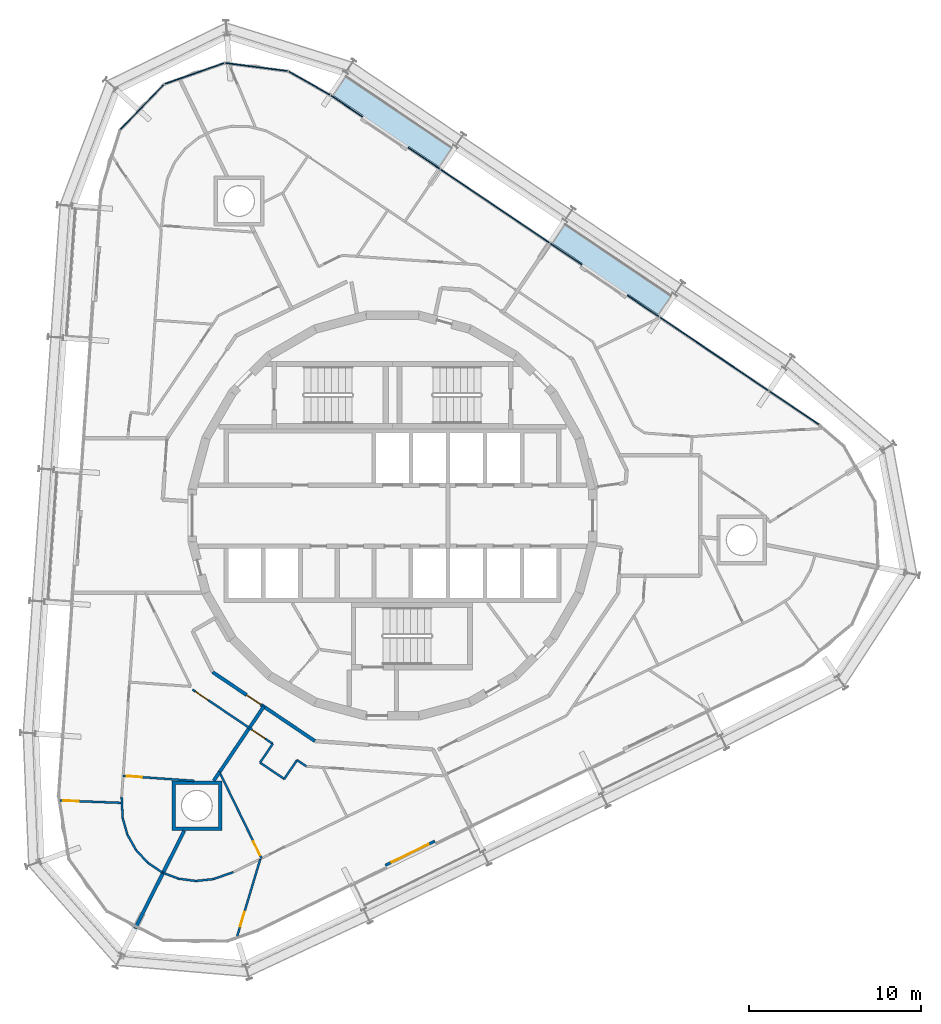
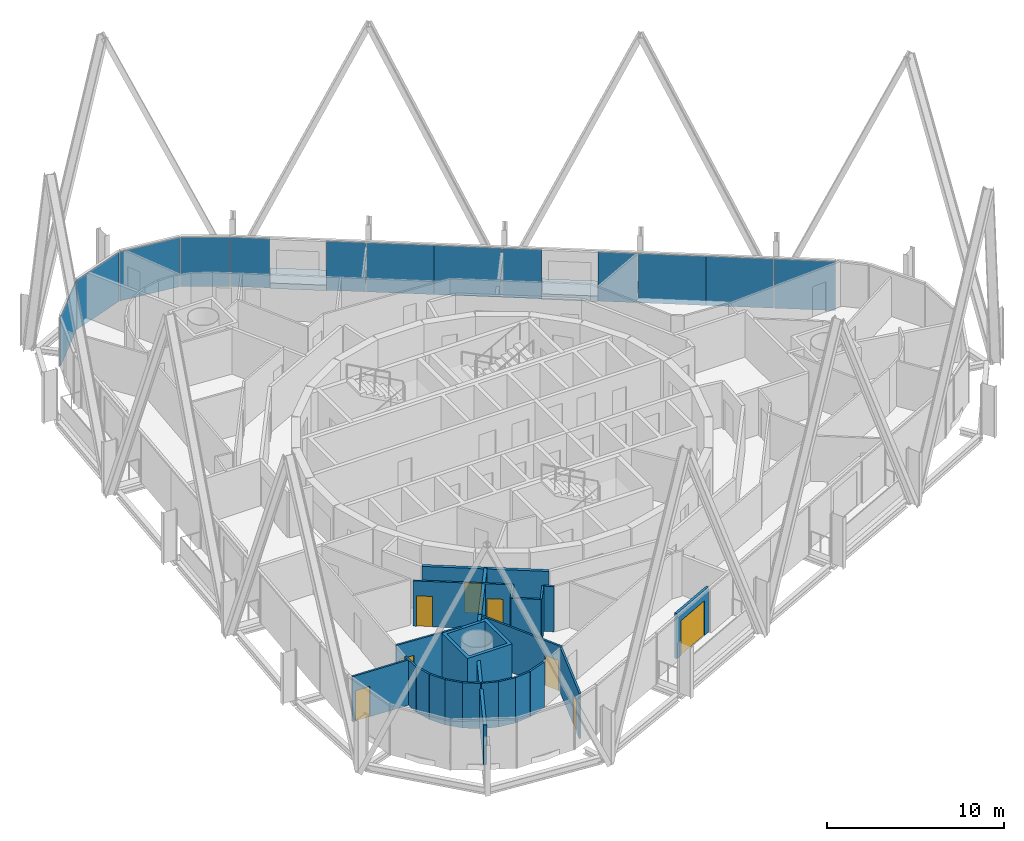
# One storey, part 11 of 18: 24 walls, 13 plates, 8 doors, 2 slabs, 8 openings, 3 elements without a shape of their own.
"""IFC4 building model written with IfcOpenShell, lengths in metres."""

from ifc_helpers import new_model, si_unit, direction, frame, frame_2d, origin, origin_2d, place, context, subcontext, project, spatial, polyline, rectangle, outline, extrude, material, layer, layer_set, type_object, element, fill, aggregate, save


model = new_model("IFC4")

# Units and contexts
model_context = context("Model", 3, precision=1e-05, world=origin(), true_north=direction((0.0, 1.0)))
body_context = subcontext(model_context, "Body", "Model", "MODEL_VIEW")
ifc_project = project(units=[si_unit("LENGTHUNIT", "METRE"), si_unit("AREAUNIT", "SQUARE_METRE"), si_unit("VOLUMEUNIT", "CUBIC_METRE"), si_unit("PLANEANGLEUNIT", "RADIAN"), si_unit("MASSUNIT", "GRAM", prefix="KILO")], contexts=[model_context])

# Site, building, storey
site_placement = place(None, origin())
site = spatial("IfcSite", under=ifc_project, at=site_placement, CompositionType="ELEMENT")
building_placement = place(site_placement, origin())
building = spatial("IfcBuilding", under=site, at=building_placement, Name="Spindle Arch Residences", CompositionType="ELEMENT")
storey_placement = place(building_placement, frame((0.0, 0.0, 202.39990234375)))
storey = spatial("IfcBuildingStorey", under=building, at=storey_placement, Name="L51", CompositionType="ELEMENT", Elevation=202.39990234375)

# Slabs
ifc_material_1 = material(Name="Concrete C40/50", Category="concrete")
ifc_layer_1 = layer(ifc_material_1, 0.3798828125)
ifc_layer_set_1 = layer_set([ifc_layer_1], Name="Balcony slab 380")
slab_type = type_object("IfcSlabType", Name="Balcony slab 380", PredefinedType="FLOOR", material=ifc_layer_set_1)
slab_1_placement = place(storey_placement, frame((0.0, 0.0, -0.3798828125)))
element("IfcSlab", 1, at=slab_1_placement, inside=storey, type_object=slab_type, Name="Balcony L51 bay 7", PredefinedType="FLOOR", context=body_context, shape_type="SweptSolid", body=[
    extrude(outline(polyline([(16.34228515625, 12.897216796875), (16.2802734375, 12.939208984375), (16.1962890625, 12.814697265625), (10.066650390625, 16.94921875), (10.150634765625, 17.07373046875), (10.08837890625, 17.115478515625), (9.255126953125, 15.88037109375), (11.0556640625, 14.665771484375), (10.96630859375, 14.533203125), (13.619140625, 12.74365234375), (13.70849609375, 12.87646484375), (15.50927734375, 11.661865234375), (16.34228515625, 12.897216796875)])), origin(), (0.0, 0.0, 1.0), 0.3798828125),
])
slab_2_placement = place(storey_placement, frame((0.0, 0.0, -0.3798828125)))
element("IfcSlab", 2, at=slab_2_placement, inside=storey, type_object=slab_type, Name="Balcony L51 bay 9", PredefinedType="FLOOR", context=body_context, shape_type="SweptSolid", body=[
    extrude(outline(polyline([(3.585693359375, 21.501708984375), (3.5234375, 21.543701171875), (3.439453125, 21.419189453125), (-2.690185546875, 25.5537109375), (-2.606201171875, 25.67822265625), (-2.66845703125, 25.719970703125), (-3.501708984375, 24.48486328125), (-1.701171875, 23.270263671875), (-1.79052734375, 23.1376953125), (0.8623046875, 21.348388671875), (0.951904296875, 21.48095703125), (2.75244140625, 20.266357421875), (3.585693359375, 21.501708984375)])), origin(), (0.0, 0.0, 1.0), 0.3798828125),
])

# Curtain wall, plate
ifc_material_2 = material(Name="Aluminium bronze unitised frame with tinted glass", Category="aluminium")
ifc_layer_2 = layer(ifc_material_2, 0.159912109375)
ifc_layer_set_2 = layer_set([ifc_layer_2], Name="CW-D corner wall on the fillet arcs")
curtain_wall_type_1 = type_object("IfcCurtainWallType", Name="CW-D corner wall on the fillet arcs", PredefinedType="NOTDEFINED", material=ifc_layer_set_2)
curtain_wall_1_placement = place(storey_placement, origin())
curtain_wall_1 = element("IfcCurtainWall", 3, at=curtain_wall_1_placement, inside=storey, type_object=curtain_wall_type_1, Name="CW-D L51 run 1", PredefinedType="NOTDEFINED")
ifc_material_3 = material(Name="Tinted double glazing over aluminium faced non-combustible spandrel zone (K0)", Category="aluminium")
ifc_layer_3 = layer(ifc_material_3, 0.06005859375)
ifc_layer_set_3 = layer_set([ifc_layer_3], Name="Unitised glass panel with E 60 spandrel zone")
plate_type = type_object("IfcPlateType", Name="Unitised glass panel with E 60 spandrel zone", PredefinedType="CURTAIN_PANEL", material=ifc_layer_set_3)
plate_1_placement = place(storey_placement, frame((23.36767578125, 6.264892578125, -0.3798828125), z_axis=(0.0, 0.0, 1.0), x_axis=(-0.829037572555, 0.559192903471, 0.0)))
plate_1 = element("IfcPlate", 4, at=plate_1_placement, type_object=plate_type, Name="CW-D unit 06", PredefinedType="CURTAIN_PANEL", context=body_context, shape_type="SweptSolid", body=[
    extrude(rectangle(XDim=3.468505859375, YDim=0.06005859375, at=origin_2d()), origin(), (0.0, 0.0, 1.0), 3.3798828125),
])
aggregate(curtain_wall_1, [plate_1])

# Curtain wall, plates
ifc_material_4 = material(Name="Aluminium bronze unitised frame with tinted glass", Category="aluminium")
ifc_layer_4 = layer(ifc_material_4, 0.159912109375)
ifc_layer_set_4 = layer_set([ifc_layer_4], Name="CW-C typical residential unitised wall")
curtain_wall_type_2 = type_object("IfcCurtainWallType", Name="CW-C typical residential unitised wall", PredefinedType="NOTDEFINED", material=ifc_layer_set_4)
curtain_wall_2_placement = place(storey_placement, origin())
curtain_wall_2 = element("IfcCurtainWall", 5, at=curtain_wall_2_placement, inside=storey, type_object=curtain_wall_type_2, Name="CW-C L51 run 2", PredefinedType="NOTDEFINED")
plate_2_placement = place(storey_placement, frame((20.2978515625, 8.335205078125, -0.3798828125), z_axis=(0.0, 0.0, 1.0), x_axis=(-0.829037572555, 0.559192903471, 0.0)))
plate_2 = element("IfcPlate", 6, at=plate_2_placement, type_object=plate_type, Name="CW-C unit 05A", PredefinedType="CURTAIN_PANEL", context=body_context, shape_type="SweptSolid", body=[
    extrude(rectangle(XDim=3.81689453125, YDim=0.06005859375, at=origin_2d()), origin(), (0.0, 0.0, 1.0), 3.3798828125),
])
plate_3_placement = place(storey_placement, frame((17.133544921875, 10.4697265625, -0.3798828125), z_axis=(0.0, 0.0, 1.0), x_axis=(-0.829037572555, 0.559192903471, 0.0)))
plate_3 = element("IfcPlate", 7, at=plate_3_placement, type_object=plate_type, Name="CW-C unit 05B", PredefinedType="CURTAIN_PANEL", context=body_context, shape_type="SweptSolid", body=[
    extrude(rectangle(XDim=3.81689453125, YDim=0.06005859375, at=origin_2d()), origin(), (0.0, 0.0, 1.0), 3.3798828125),
])
plate_4_placement = place(storey_placement, frame((14.582763671875, 12.190185546875, -0.3798828125), z_axis=(0.0, 0.0, 1.0), x_axis=(-0.829037572555, 0.559192903471, 0.0)))
plate_4 = element("IfcPlate", 8, at=plate_4_placement, type_object=plate_type, Name="CW-C unit 06L", PredefinedType="CURTAIN_PANEL", context=body_context, shape_type="SweptSolid", body=[
    extrude(rectangle(XDim=2.216796875, YDim=0.06005859375, at=origin_2d()), origin(), (0.0, 0.0, 1.0), 3.3798828125),
])
plate_5_placement = place(storey_placement, frame((10.092041015625, 15.21923828125, -0.3798828125), z_axis=(0.0, 0.0, 1.0), x_axis=(-0.829037572555, 0.559192903471, 0.0)))
plate_5 = element("IfcPlate", 9, at=plate_5_placement, type_object=plate_type, Name="CW-C unit 06R", PredefinedType="CURTAIN_PANEL", context=body_context, shape_type="SweptSolid", body=[
    extrude(rectangle(XDim=2.216796875, YDim=0.06005859375, at=origin_2d()), origin(), (0.0, 0.0, 1.0), 3.3798828125),
])
plate_6_placement = place(storey_placement, frame((7.541259765625, 16.93994140625, -0.3798828125), z_axis=(0.0, 0.0, 1.0), x_axis=(-0.829037572555, 0.559192903471, 0.0)))
plate_6 = element("IfcPlate", 10, at=plate_6_placement, type_object=plate_type, Name="CW-C unit 07A", PredefinedType="CURTAIN_PANEL", context=body_context, shape_type="SweptSolid", body=[
    extrude(rectangle(XDim=3.81689453125, YDim=0.06005859375, at=origin_2d()), origin(), (0.0, 0.0, 1.0), 3.3798828125),
])
plate_7_placement = place(storey_placement, frame((4.376953125, 19.07421875, -0.3798828125), z_axis=(0.0, 0.0, 1.0), x_axis=(-0.829037572555, 0.559192903471, 0.0)))
plate_7 = element("IfcPlate", 11, at=plate_7_placement, type_object=plate_type, Name="CW-C unit 07B", PredefinedType="CURTAIN_PANEL", context=body_context, shape_type="SweptSolid", body=[
    extrude(rectangle(XDim=3.81689453125, YDim=0.06005859375, at=origin_2d()), origin(), (0.0, 0.0, 1.0), 3.3798828125),
])
plate_8_placement = place(storey_placement, frame((1.825927734375, 20.794677734375, -0.3798828125), z_axis=(0.0, 0.0, 1.0), x_axis=(-0.829037572555, 0.559192903471, 0.0)))
plate_8 = element("IfcPlate", 12, at=plate_8_placement, type_object=plate_type, Name="CW-C unit 08L", PredefinedType="CURTAIN_PANEL", context=body_context, shape_type="SweptSolid", body=[
    extrude(rectangle(XDim=2.216796875, YDim=0.06005859375, at=origin_2d()), origin(), (0.0, 0.0, 1.0), 3.3798828125),
])
plate_9_placement = place(storey_placement, frame((-2.664794921875, 23.82373046875, -0.3798828125), z_axis=(0.0, 0.0, 1.0), x_axis=(-0.829037572555, 0.559192903471, 0.0)))
plate_9 = element("IfcPlate", 13, at=plate_9_placement, type_object=plate_type, Name="CW-C unit 08R", PredefinedType="CURTAIN_PANEL", context=body_context, shape_type="SweptSolid", body=[
    extrude(rectangle(XDim=2.216796875, YDim=0.06005859375, at=origin_2d()), origin(), (0.0, 0.0, 1.0), 3.3798828125),
])
aggregate(curtain_wall_2, [plate_2, plate_3, plate_4, plate_5, plate_6, plate_7, plate_8, plate_9])

curtain_wall_3_placement = place(storey_placement, origin())
curtain_wall_3 = element("IfcCurtainWall", 14, at=curtain_wall_3_placement, inside=storey, type_object=curtain_wall_type_1, Name="CW-D L51 run 3", PredefinedType="NOTDEFINED")
plate_10_placement = place(storey_placement, frame((-4.84130859375, 25.16064453125, -0.3798828125), z_axis=(0.0, 0.0, 1.0), x_axis=(-0.86953871595, 0.493864780547, 0.0)))
plate_10 = element("IfcPlate", 15, at=plate_10_placement, type_object=plate_type, Name="CW-D unit 00", PredefinedType="CURTAIN_PANEL", context=body_context, shape_type="SweptSolid", body=[
    extrude(rectangle(XDim=2.775634765625, YDim=0.06005859375, at=origin_2d()), origin(), (0.0, 0.0, 1.0), 3.3798828125),
])
plate_11_placement = place(storey_placement, frame((-7.92236328125, 26.0986328125, -0.3798828125), z_axis=(0.0, 0.0, 1.0), x_axis=(-0.991820351023, 0.127641651888, 0.0)))
plate_11 = element("IfcPlate", 16, at=plate_11_placement, type_object=plate_type, Name="CW-D unit 01", PredefinedType="CURTAIN_PANEL", context=body_context, shape_type="SweptSolid", body=[
    extrude(rectangle(XDim=3.666748046875, YDim=0.06005859375, at=origin_2d()), origin(), (0.0, 0.0, 1.0), 3.3798828125),
])
plate_12_placement = place(storey_placement, frame((-11.52880859375, 25.7197265625, -0.3798828125), z_axis=(0.0, 0.0, 1.0), x_axis=(-0.943608508302, -0.331063412445, 0.0)))
plate_12 = element("IfcPlate", 17, at=plate_12_placement, type_object=plate_type, Name="CW-D unit 02", PredefinedType="CURTAIN_PANEL", context=body_context, shape_type="SweptSolid", body=[
    extrude(rectangle(XDim=3.666748046875, YDim=0.06005859375, at=origin_2d()), origin(), (0.0, 0.0, 1.0), 3.3798828125),
])
plate_13_placement = place(storey_placement, frame((-14.58154296875, 23.762451171875, -0.3798828125), z_axis=(0.0, 0.0, 1.0), x_axis=(-0.694658368802, -0.719339801939, 0.0)))
plate_13 = element("IfcPlate", 18, at=plate_13_placement, type_object=plate_type, Name="CW-D unit 03", PredefinedType="CURTAIN_PANEL", context=body_context, shape_type="SweptSolid", body=[
    extrude(rectangle(XDim=3.666748046875, YDim=0.06005859375, at=origin_2d()), origin(), (0.0, 0.0, 1.0), 3.3798828125),
])
aggregate(curtain_wall_3, [plate_10, plate_11, plate_12, plate_13])

# Wall, opening, door
ifc_material_5 = material(Name="Calcium silicate block, plastered")
ifc_layer_5 = layer(ifc_material_5, 0.199951171875)
ifc_layer_set_5 = layer_set([ifc_layer_5], Name="Corridor wall 200")
wall_type_1 = type_object("IfcWallType", Name="Corridor wall 200", PredefinedType="STANDARD", material=ifc_layer_set_5)
wall_1_placement = place(storey_placement, frame((-10.469970703125, -9.101318359375, 0.0), z_axis=(0.0, 0.0, 1.0), x_axis=(0.829035841718, -0.559195469534, 0.0)))
wall_1 = element("IfcWall", 19, at=wall_1_placement, inside=storey, type_object=wall_type_1, Name="Corridor wall R5B0-W017", PredefinedType="STANDARD", context=body_context, shape_type="SweptSolid", body=[
    extrude(rectangle(XDim=7.18115234375, YDim=0.199951171875, at=frame_2d((3.590576171875, 0.0))), origin(), (0.0, 0.0, 1.0), 3.1201171875),
])
opening_1_placement = place(wall_1_placement, frame((2.390380859375, 0.0, 0.0)))
opening_1 = element("IfcOpeningElement", 20, at=opening_1_placement, cuts=wall_1, Name="Opening R5B0-FD04", PredefinedType="OPENING", context=body_context, shape_type="SweptSolid", body=[
    extrude(rectangle(XDim=1.0, YDim=2.10009765625, at=frame_2d((0.5, 1.050048828125))), frame((0.0, 0.10986328125, 0.0), z_axis=(0.0, -1.0, 0.0), x_axis=(1.0, 0.0, 0.0)), (0.0, 0.0, 1.0), 0.219970703125),
])
ifc_material_6 = material(Name="Timber, fire-resisting door set", Category="wood")
door_type_1 = type_object("IfcDoorType", Name="Flat entrance door 1000x2100", OperationType="NOTDEFINED", PredefinedType="DOOR", material=ifc_material_6)
door_1_placement = place(opening_1_placement, origin())
door_1 = element("IfcDoor", 21, at=door_1_placement, inside=storey, type_object=door_type_1, Name="Flat entrance door R5B0-FD04", OperationType="SINGLE_SWING_RIGHT", OverallHeight=2.10009765625, OverallWidth=1.0, PredefinedType="DOOR", context=body_context, shape_type="SweptSolid", body=[
    extrude(rectangle(XDim=1.0, YDim=2.10009765625, at=frame_2d((0.5, 1.050048828125))), frame((0.0, 0.02490234375, 0.0), z_axis=(0.0, -1.0, 0.0), x_axis=(1.0, 0.0, 0.0)), (0.0, 0.0, 1.0), 0.050048828125),
])
fill(opening_1, door_1)

# Wall, openings, doors
ifc_material_7 = material(Name="Plasterboard on steel studs", Category="steel")
ifc_layer_6 = layer(ifc_material_7, 0.1201171875)
ifc_layer_set_6 = layer_set([ifc_layer_6], Name="Flat partition 120")
wall_type_2 = type_object("IfcWallType", Name="Flat partition 120", PredefinedType="PARTITIONING", material=ifc_layer_set_6)
wall_2_placement = place(storey_placement, frame((-11.641845703125, -10.1201171875, 0.0), z_axis=(0.0, 0.0, 1.0), x_axis=(0.829033377599, -0.559199122698, 0.0)))
wall_2 = element("IfcWall", 22, at=wall_2_placement, inside=storey, type_object=wall_type_2, Name="Flat partition R5B0-W076", PredefinedType="PARTITIONING", context=body_context, shape_type="SweptSolid", body=[
    extrude(rectangle(XDim=5.6376953125, YDim=0.1201171875, at=frame_2d((2.81884765625, 0.0))), origin(), (0.0, 0.0, 1.0), 3.1201171875),
])
opening_2_placement = place(wall_2_placement, frame((0.199951171875, 0.0, 0.0)))
opening_2 = element("IfcOpeningElement", 23, at=opening_2_placement, cuts=wall_2, Name="Opening R5B0-ID14", PredefinedType="OPENING", context=body_context, shape_type="SweptSolid", body=[
    extrude(rectangle(XDim=0.89990234375, YDim=2.10009765625, at=frame_2d((0.449951171875, 1.050048828125))), frame((0.0, 0.070068359375, 0.0), z_axis=(0.0, -1.0, 0.0), x_axis=(1.0, 0.0, 0.0)), (0.0, 0.0, 1.0), 0.14013671875),
])
opening_3_placement = place(wall_2_placement, frame((4.1923828125, 0.0, 0.0)))
opening_3 = element("IfcOpeningElement", 24, at=opening_3_placement, cuts=wall_2, Name="Opening R5B0-ID18", PredefinedType="OPENING", context=body_context, shape_type="SweptSolid", body=[
    extrude(rectangle(XDim=0.89990234375, YDim=2.10009765625, at=frame_2d((0.449951171875, 1.050048828125))), frame((0.0, 0.070068359375, 0.0), z_axis=(0.0, -1.0, 0.0), x_axis=(1.0, 0.0, 0.0)), (0.0, 0.0, 1.0), 0.14013671875),
])
ifc_material_8 = material(Name="Timber door set", Category="wood")
door_type_2 = type_object("IfcDoorType", Name="Room door 900x2100", OperationType="NOTDEFINED", PredefinedType="DOOR", material=ifc_material_8)
door_2_placement = place(opening_2_placement, origin())
door_2 = element("IfcDoor", 25, at=door_2_placement, inside=storey, type_object=door_type_2, Name="Room door R5B0-ID14", OperationType="SINGLE_SWING_RIGHT", OverallHeight=2.10009765625, OverallWidth=0.89990234375, PredefinedType="DOOR", context=body_context, shape_type="SweptSolid", body=[
    extrude(rectangle(XDim=0.89990234375, YDim=2.10009765625, at=frame_2d((0.449951171875, 1.050048828125))), frame((0.0, 0.02490234375, 0.0), z_axis=(0.0, -1.0, 0.0), x_axis=(1.0, 0.0, 0.0)), (0.0, 0.0, 1.0), 0.050048828125),
])
fill(opening_2, door_2)
door_3_placement = place(opening_3_placement, origin())
door_3 = element("IfcDoor", 26, at=door_3_placement, inside=storey, type_object=door_type_2, Name="Room door R5B0-ID18", OperationType="SINGLE_SWING_LEFT", OverallHeight=2.10009765625, OverallWidth=0.89990234375, PredefinedType="DOOR", context=body_context, shape_type="SweptSolid", body=[
    extrude(rectangle(XDim=0.89990234375, YDim=2.10009765625, at=frame_2d((0.449951171875, 1.050048828125))), frame((0.0, 0.02490234375, 0.0), z_axis=(0.0, -1.0, 0.0), x_axis=(1.0, 0.0, 0.0)), (0.0, 0.0, 1.0), 0.050048828125),
])
fill(opening_3, door_3)

# Wall, opening, door
wall_3_placement = place(storey_placement, frame((-19.354736328125, -16.5751953125, 0.0), z_axis=(0.0, 0.0, 1.0), x_axis=(0.999268343647, -0.038246272823, 0.0)))
wall_3 = element("IfcWall", 27, at=wall_3_placement, inside=storey, type_object=wall_type_2, Name="Flat partition R5B0-W079", PredefinedType="PARTITIONING", context=body_context, shape_type="SweptSolid", body=[
    extrude(rectangle(XDim=3.613037109375, YDim=0.1201171875, at=frame_2d((1.806640625, 0.0))), origin(), (0.0, 0.0, 1.0), 3.1201171875),
])
opening_4_placement = place(wall_3_placement, frame((0.199951171875, 0.0, 0.0)))
opening_4 = element("IfcOpeningElement", 28, at=opening_4_placement, cuts=wall_3, Name="Opening R5B0-ID17", PredefinedType="OPENING", context=body_context, shape_type="SweptSolid", body=[
    extrude(rectangle(XDim=0.89990234375, YDim=2.10009765625, at=frame_2d((0.449951171875, 1.050048828125))), frame((0.0, 0.070068359375, 0.0), z_axis=(0.0, -1.0, 0.0), x_axis=(1.0, 0.0, 0.0)), (0.0, 0.0, 1.0), 0.14013671875),
])
door_4_placement = place(opening_4_placement, origin())
door_4 = element("IfcDoor", 29, at=door_4_placement, inside=storey, type_object=door_type_2, Name="Room door R5B0-ID17", OperationType="SINGLE_SWING_RIGHT", OverallHeight=2.10009765625, OverallWidth=0.89990234375, PredefinedType="DOOR", context=body_context, shape_type="SweptSolid", body=[
    extrude(rectangle(XDim=0.89990234375, YDim=2.10009765625, at=frame_2d((0.449951171875, 1.050048828125))), frame((0.0, 0.02490234375, 0.0), z_axis=(0.0, -1.0, 0.0), x_axis=(1.0, 0.0, 0.0)), (0.0, 0.0, 1.0), 0.050048828125),
])
fill(opening_4, door_4)

# Wall
wall_4_placement = place(storey_placement, frame((-15.70361328125, -17.590087890625, 0.0), z_axis=(0.0, 0.0, 1.0), x_axis=(-0.046364428258, 0.998924591645, 0.0)))
element("IfcWall", 30, at=wall_4_placement, inside=storey, type_object=wall_type_2, Name="Flat partition R5B0-W080", PredefinedType="PARTITIONING", context=body_context, shape_type="SweptSolid", body=[
    extrude(rectangle(XDim=1.226806640625, YDim=0.1201171875, at=frame_2d((0.61328125, 0.0))), origin(), (0.0, 0.0, 1.0), 3.1201171875),
])

# Wall, opening, door
wall_5_placement = place(storey_placement, frame((-15.675048828125, -15.14111328125, 0.0), z_axis=(0.0, 0.0, 1.0), x_axis=(0.997563107735, -0.06976995117, 0.0)))
wall_5 = element("IfcWall", 31, at=wall_5_placement, inside=storey, type_object=wall_type_2, Name="Flat partition R5B0-W081", PredefinedType="PARTITIONING", context=body_context, shape_type="SweptSolid", body=[
    extrude(rectangle(XDim=4.146484375, YDim=0.1201171875, at=frame_2d((2.0732421875, 0.0))), origin(), (0.0, 0.0, 1.0), 3.1201171875),
])
opening_5_placement = place(wall_5_placement, frame((0.199951171875, 0.0, 0.0)))
opening_5 = element("IfcOpeningElement", 32, at=opening_5_placement, cuts=wall_5, Name="Opening R5B0-ID16", PredefinedType="OPENING", context=body_context, shape_type="SweptSolid", body=[
    extrude(rectangle(XDim=0.89990234375, YDim=2.10009765625, at=frame_2d((0.449951171875, 1.050048828125))), frame((0.0, 0.070068359375, 0.0), z_axis=(0.0, -1.0, 0.0), x_axis=(1.0, 0.0, 0.0)), (0.0, 0.0, 1.0), 0.14013671875),
])
door_5_placement = place(opening_5_placement, origin())
door_5 = element("IfcDoor", 33, at=door_5_placement, inside=storey, type_object=door_type_2, Name="Room door R5B0-ID16", OperationType="SINGLE_SWING_RIGHT", OverallHeight=2.10009765625, OverallWidth=0.89990234375, PredefinedType="DOOR", context=body_context, shape_type="SweptSolid", body=[
    extrude(rectangle(XDim=0.89990234375, YDim=2.10009765625, at=frame_2d((0.449951171875, 1.050048828125))), frame((0.0, 0.02490234375, 0.0), z_axis=(0.0, -1.0, 0.0), x_axis=(1.0, 0.0, 0.0)), (0.0, 0.0, 1.0), 0.050048828125),
])
fill(opening_5, door_5)

# Walls
for number, where, z_axis, x_axis, name in (
    (34, (-13.39501953125, -20.767333984375, 0.0), (0.0, 0.0, 1.0), (-0.829155030747, 0.559018725077, 0.0), "Flat partition R5B0-W082"),
    (35, (-14.2373046875, -20.199462890625, 0.0), (0.0, 0.0, 1.0), (-0.677681015856, 0.735355995929, 0.0), "Flat partition R5B0-W083"),
):
    element("IfcWall", number, at=place(storey_placement, frame(where, z_axis=z_axis, x_axis=x_axis)), inside=storey, type_object=wall_type_2, Name=name, PredefinedType="PARTITIONING", context=body_context, shape_type="SweptSolid", body=[
        extrude(rectangle(XDim=1.015869140625, YDim=0.1201171875, at=frame_2d((0.5078125, 0.0))), origin(), (0.0, 0.0, 1.0), 3.1201171875),
    ])
wall_6_placement = place(storey_placement, frame((-14.92578125, -19.452392578125, 0.0), z_axis=(0.0, 0.0, 1.0), x_axis=(-0.489941776958, 0.871755157823, 0.0)))
element("IfcWall", 36, at=wall_6_placement, inside=storey, type_object=wall_type_2, Name="Flat partition R5B0-W084", PredefinedType="PARTITIONING", context=body_context, shape_type="SweptSolid", body=[
    extrude(rectangle(XDim=1.01611328125, YDim=0.1201171875, at=frame_2d((0.508056640625, 0.0))), origin(), (0.0, 0.0, 1.0), 3.1201171875),
])
wall_7_placement = place(storey_placement, frame((-15.423583984375, -18.566650390625, 0.0), z_axis=(0.0, 0.0, 1.0), x_axis=(-0.275641454312, 0.961260520704, 0.0)))
element("IfcWall", 37, at=wall_7_placement, inside=storey, type_object=wall_type_2, Name="Flat partition R5B0-W085", PredefinedType="PARTITIONING", context=body_context, shape_type="SweptSolid", body=[
    extrude(rectangle(XDim=1.015869140625, YDim=0.1201171875, at=frame_2d((0.5078125, 0.0))), origin(), (0.0, 0.0, 1.0), 3.1201171875),
])
wall_8_placement = place(storey_placement, frame((-6.968017578125, -13.272705078125, 0.0), z_axis=(0.0, 0.0, 1.0), x_axis=(-0.559283007371, -0.828976789582, 0.0)))
element("IfcWall", 38, at=wall_8_placement, inside=storey, type_object=wall_type_2, Name="Flat partition R5B0-W086", PredefinedType="PARTITIONING", context=body_context, shape_type="SweptSolid", body=[
    extrude(rectangle(XDim=1.3251953125, YDim=0.1201171875, at=frame_2d((0.66259765625, 0.0))), origin(), (0.0, 0.0, 1.0), 3.1201171875),
])
wall_9_placement = place(storey_placement, frame((-7.709228515625, -14.371337890625, 0.0), z_axis=(0.0, 0.0, 1.0), x_axis=(0.829033422808, -0.559199055675, 0.0)))
element("IfcWall", 39, at=wall_9_placement, inside=storey, type_object=wall_type_2, Name="Flat partition R5B0-W087", PredefinedType="PARTITIONING", context=body_context, shape_type="SweptSolid", body=[
    extrude(rectangle(XDim=1.7001953125, YDim=0.1201171875, at=frame_2d((0.85009765625, 0.0))), origin(), (0.0, 0.0, 1.0), 3.1201171875),
])
wall_10_placement = place(storey_placement, frame((-6.2998046875, -15.322021484375, 0.0), z_axis=(0.0, 0.0, 1.0), x_axis=(0.559197608403, 0.829034399019, 0.0)))
element("IfcWall", 40, at=wall_10_placement, inside=storey, type_object=wall_type_2, Name="Flat partition R5B0-W088", PredefinedType="PARTITIONING", context=body_context, shape_type="SweptSolid", body=[
    extrude(rectangle(XDim=1.325439453125, YDim=0.1201171875, at=frame_2d((0.66259765625, 0.0))), origin(), (0.0, 0.0, 1.0), 3.1201171875),
])
wall_11_placement = place(storey_placement, frame((-5.55859375, -14.22314453125, 0.0), z_axis=(0.0, 0.0, 1.0), x_axis=(0.828844300469, -0.559479334363, 0.0)))
element("IfcWall", 41, at=wall_11_placement, inside=storey, type_object=wall_type_2, Name="Flat partition R5B0-W089", PredefinedType="PARTITIONING", context=body_context, shape_type="SweptSolid", body=[
    extrude(rectangle(XDim=0.647216796875, YDim=0.1201171875, at=frame_2d((0.32373046875, 0.0))), origin(), (0.0, 0.0, 1.0), 3.1201171875),
])
wall_12_placement = place(storey_placement, frame((-13.351318359375, -20.783935546875, 0.0), z_axis=(0.0, 0.0, 1.0), x_axis=(0.935644105077, -0.352944908781, 0.0)))
element("IfcWall", 42, at=wall_12_placement, inside=storey, type_object=wall_type_2, Name="Flat partition R5B0-W092", PredefinedType="PARTITIONING", context=body_context, shape_type="SweptSolid", body=[
    extrude(rectangle(XDim=0.968994140625, YDim=0.1201171875, at=frame_2d((0.484375, 0.0))), origin(), (0.0, 0.0, 1.0), 3.1201171875),
])
wall_13_placement = place(storey_placement, frame((-12.444580078125, -21.1259765625, 0.0), z_axis=(0.0, 0.0, 1.0), x_axis=(0.991824046735, -0.127612931625, 0.0)))
element("IfcWall", 43, at=wall_13_placement, inside=storey, type_object=wall_type_2, Name="Flat partition R5B0-W093", PredefinedType="PARTITIONING", context=body_context, shape_type="SweptSolid", body=[
    extrude(rectangle(XDim=1.015869140625, YDim=0.1201171875, at=frame_2d((0.5078125, 0.0))), origin(), (0.0, 0.0, 1.0), 3.1201171875),
])
wall_14_placement = place(storey_placement, frame((-11.43701171875, -21.255615234375, 0.0), z_axis=(0.0, 0.0, 1.0), x_axis=(0.994522555527, 0.104522182086, 0.0)))
element("IfcWall", 44, at=wall_14_placement, inside=storey, type_object=wall_type_2, Name="Flat partition R5B0-W094", PredefinedType="PARTITIONING", context=body_context, shape_type="SweptSolid", body=[
    extrude(rectangle(XDim=1.01611328125, YDim=0.1201171875, at=frame_2d((0.508056640625, 0.0))), origin(), (0.0, 0.0, 1.0), 3.1201171875),
])
wall_15_placement = place(storey_placement, frame((-10.426513671875, -21.1494140625, 0.0), z_axis=(0.0, 0.0, 1.0), x_axis=(0.943591256744, 0.331112579338, 0.0)))
element("IfcWall", 45, at=wall_15_placement, inside=storey, type_object=wall_type_2, Name="Flat partition R5B0-W095", PredefinedType="PARTITIONING", context=body_context, shape_type="SweptSolid", body=[
    extrude(rectangle(XDim=1.226806640625, YDim=0.1201171875, at=frame_2d((0.61328125, 0.0))), origin(), (0.0, 0.0, 1.0), 3.1201171875),
])

# Wall, opening, door
wall_16_placement = place(storey_placement, frame((-7.619873046875, -19.93896484375, 0.0), z_axis=(0.0, 0.0, 1.0), x_axis=(-0.438353807908, 0.89880250283, 0.0)))
wall_16 = element("IfcWall", 46, at=wall_16_placement, inside=storey, type_object=wall_type_2, Name="Flat partition R5B0-W097", PredefinedType="PARTITIONING", context=body_context, shape_type="SweptSolid", body=[
    extrude(rectangle(XDim=5.580078125, YDim=0.1201171875, at=frame_2d((2.7900390625, 0.0))), origin(), (0.0, 0.0, 1.0), 3.1201171875),
])
opening_6_placement = place(wall_16_placement, frame((0.199951171875, 0.0, 0.0)))
opening_6 = element("IfcOpeningElement", 47, at=opening_6_placement, cuts=wall_16, Name="Opening R5B0-ID19", PredefinedType="OPENING", context=body_context, shape_type="SweptSolid", body=[
    extrude(rectangle(XDim=0.89990234375, YDim=2.10009765625, at=frame_2d((0.449951171875, 1.050048828125))), frame((0.0, 0.070068359375, 0.0), z_axis=(0.0, -1.0, 0.0), x_axis=(1.0, 0.0, 0.0)), (0.0, 0.0, 1.0), 0.14013671875),
])
door_6_placement = place(opening_6_placement, origin())
door_6 = element("IfcDoor", 48, at=door_6_placement, inside=storey, type_object=door_type_2, Name="Room door R5B0-ID19", OperationType="SINGLE_SWING_LEFT", OverallHeight=2.10009765625, OverallWidth=0.89990234375, PredefinedType="DOOR", context=body_context, shape_type="SweptSolid", body=[
    extrude(rectangle(XDim=0.89990234375, YDim=2.10009765625, at=frame_2d((0.449951171875, 1.050048828125))), frame((0.0, 0.02490234375, 0.0), z_axis=(0.0, -1.0, 0.0), x_axis=(1.0, 0.0, 0.0)), (0.0, 0.0, 1.0), 0.050048828125),
])
fill(opening_6, door_6)

wall_17_placement = place(storey_placement, frame((-9.041015625, -24.478515625, 0.0), z_axis=(0.0, 0.0, 1.0), x_axis=(0.286804727102, 0.957989064923, 0.0)))
wall_17 = element("IfcWall", 49, at=wall_17_placement, inside=storey, type_object=wall_type_2, Name="Flat partition R5B0-W098", PredefinedType="PARTITIONING", context=body_context, shape_type="SweptSolid", body=[
    extrude(rectangle(XDim=4.701416015625, YDim=0.1201171875, at=frame_2d((2.3505859375, 0.0))), origin(), (0.0, 0.0, 1.0), 3.1201171875),
])
opening_7_placement = place(wall_17_placement, frame((0.60009765625, 0.0, 0.0)))
opening_7 = element("IfcOpeningElement", 50, at=opening_7_placement, cuts=wall_17, Name="Opening R5B0-ID21", PredefinedType="OPENING", context=body_context, shape_type="SweptSolid", body=[
    extrude(rectangle(XDim=0.89990234375, YDim=2.10009765625, at=frame_2d((0.449951171875, 1.050048828125))), frame((0.0, 0.070068359375, 0.0), z_axis=(0.0, -1.0, 0.0), x_axis=(1.0, 0.0, 0.0)), (0.0, 0.0, 1.0), 0.14013671875),
])
door_7_placement = place(opening_7_placement, origin())
door_7 = element("IfcDoor", 51, at=door_7_placement, inside=storey, type_object=door_type_2, Name="Room door R5B0-ID21", OperationType="SINGLE_SWING_LEFT", OverallHeight=2.10009765625, OverallWidth=0.89990234375, PredefinedType="DOOR", context=body_context, shape_type="SweptSolid", body=[
    extrude(rectangle(XDim=0.89990234375, YDim=2.10009765625, at=frame_2d((0.449951171875, 1.050048828125))), frame((0.0, 0.02490234375, 0.0), z_axis=(0.0, -1.0, 0.0), x_axis=(1.0, 0.0, 0.0)), (0.0, 0.0, 1.0), 0.050048828125),
])
fill(opening_7, door_7)

# Walls
ifc_material_9 = material(Name="Calcium silicate block, plastered")
ifc_layer_7 = layer(ifc_material_9, 0.199951171875)
ifc_layer_set_7 = layer_set([ifc_layer_7], Name="Flat party wall 200")
wall_type_3 = type_object("IfcWallType", Name="Flat party wall 200", PredefinedType="STANDARD", material=ifc_layer_set_7)
wall_18_placement = place(storey_placement, frame((-10.06591796875, -14.923583984375, 0.0), z_axis=(0.0, 0.0, 1.0), x_axis=(0.559173899945, 0.829050390278, 0.0)))
element("IfcWall", 52, at=wall_18_placement, inside=storey, type_object=wall_type_3, Name="Flat party wall R5B0-W033", PredefinedType="STANDARD", context=body_context, shape_type="SweptSolid", body=[
    extrude(rectangle(XDim=4.60107421875, YDim=0.199951171875, at=frame_2d((2.300537109375, 0.0))), origin(), (0.0, 0.0, 1.0), 3.1201171875),
])
wall_19_placement = place(storey_placement, frame((-10.407958984375, -15.430419921875, 0.0), z_axis=(0.0, 0.0, 1.0), x_axis=(0.559390561924, 0.828904215956, 0.0)))
element("IfcWall", 53, at=wall_19_placement, inside=storey, type_object=wall_type_3, Name="Flat party wall R5B0-W034", PredefinedType="STANDARD", context=body_context, shape_type="SweptSolid", body=[
    extrude(rectangle(XDim=0.611572265625, YDim=0.199951171875, at=frame_2d((0.3056640625, 0.0))), origin(), (0.0, 0.0, 1.0), 3.1201171875),
])
ifc_material_10 = material(Name="Calcium silicate block, plastered")
ifc_layer_8 = layer(ifc_material_10, 0.199951171875)
ifc_layer_set_8 = layer_set([ifc_layer_8], Name="Flat party wall 200 under beam 2730")
wall_type_4 = type_object("IfcWallType", Name="Flat party wall 200 under beam 2730", PredefinedType="STANDARD", material=ifc_layer_set_8)
wall_20_placement = place(storey_placement, frame((-14.9794921875, -24.017333984375, 0.0), z_axis=(0.0, 0.0, 1.0), x_axis=(0.449711952388, 0.893173644864, 0.0)))
element("IfcWall", 54, at=wall_20_placement, inside=storey, type_object=wall_type_4, Name="Flat party wall R5B0-W035", PredefinedType="STANDARD", context=body_context, shape_type="SweptSolid", body=[
    extrude(rectangle(XDim=6.366943359375, YDim=0.199951171875, at=frame_2d((3.18359375, 0.0))), origin(), (0.0, 0.0, 1.0), 2.72998046875),
])

# Wall, opening, door
ifc_material_11 = material(Name="Non-combustible mineral wool insulated aluminium faced external wall (K0)", Category="aluminium")
ifc_layer_9 = layer(ifc_material_11, 0.159912109375)
ifc_layer_set_9 = layer_set([ifc_layer_9], Name="Insulated external wall panel 160")
wall_type_5 = type_object("IfcWallType", Name="Insulated external wall panel 160", PredefinedType="STANDARD", material=ifc_layer_set_9)
wall_21_placement = place(storey_placement, frame((-0.418212890625, -20.343017578125, 0.0), z_axis=(0.0, 0.0, 1.0), x_axis=(0.898778711213, 0.43840258698, 0.0)))
wall_21 = element("IfcWall", 55, at=wall_21_placement, inside=storey, type_object=wall_type_5, Name="External wall L51 bay 21", PredefinedType="STANDARD", context=body_context, shape_type="SweptSolid", body=[
    extrude(rectangle(XDim=3.199951171875, YDim=0.159912109375, at=frame_2d((1.60009765625, 0.0))), origin(), (0.0, 0.0, 1.0), 3.1201171875),
])
opening_8_placement = place(wall_21_placement, frame((0.39990234375, 0.0, 0.0)))
opening_8 = element("IfcOpeningElement", 56, at=opening_8_placement, cuts=wall_21, Name="Opening BD21", PredefinedType="OPENING", context=body_context, shape_type="SweptSolid", body=[
    extrude(rectangle(XDim=2.39990234375, YDim=2.39990234375, at=frame_2d((1.199951171875, 1.199951171875))), frame((0.0, 0.08984375, 0.0), z_axis=(0.0, -1.0, 0.0), x_axis=(1.0, 0.0, 0.0)), (0.0, 0.0, 1.0), 0.179931640625),
])
ifc_material_12 = material(Name="Bronze aluminium frame, tinted double glazing", Category="aluminium")
door_type_3 = type_object("IfcDoorType", Name="Sliding glazed balcony door 2400x2400", OperationType="DOUBLE_DOOR_SLIDING", PredefinedType="DOOR", material=ifc_material_12)
door_8_placement = place(opening_8_placement, origin())
door_8 = element("IfcDoor", 57, at=door_8_placement, inside=storey, type_object=door_type_3, Name="Balcony door BD21", OperationType="DOUBLE_DOOR_SLIDING", OverallHeight=2.39990234375, OverallWidth=2.39990234375, PredefinedType="DOOR", context=body_context, shape_type="SweptSolid", body=[
    extrude(rectangle(XDim=2.39990234375, YDim=2.39990234375, at=frame_2d((1.199951171875, 1.199951171875))), frame((0.0, 0.02490234375, 0.0), z_axis=(0.0, -1.0, 0.0), x_axis=(1.0, 0.0, 0.0)), (0.0, 0.0, 1.0), 0.050048828125),
])
fill(opening_8, door_8)

# Wall
ifc_material_13 = material(Name="Calcium silicate block, plastered")
ifc_layer_10 = layer(ifc_material_13, 0.199951171875)
ifc_layer_set_10 = layer_set([ifc_layer_10], Name="Mega-column casing wall 200")
wall_type_6 = type_object("IfcWallType", Name="Mega-column casing wall 200", PredefinedType="STANDARD", material=ifc_layer_set_10)
wall_22_placement = place(storey_placement, origin())
element("IfcWall", 58, at=wall_22_placement, inside=storey, type_object=wall_type_6, Name="Mega-column casing wall R5B0-WC02", PredefinedType="STANDARD", context=body_context, shape_type="SweptSolid", body=[
    extrude(outline(polyline([(-9.93603515625, -15.430419921875), (-9.93603515625, -18.33056640625), (-12.8359375, -18.33056640625), (-12.8359375, -15.430419921875), (-9.93603515625, -15.430419921875)]), holes=[polyline([(-12.635986328125, -18.130615234375), (-10.135986328125, -18.130615234375), (-10.135986328125, -15.630615234375), (-12.635986328125, -15.630615234375), (-12.635986328125, -18.130615234375)])]), origin(), (0.0, 0.0, 1.0), 3.1201171875),
])

save(model, "model.ifc")
